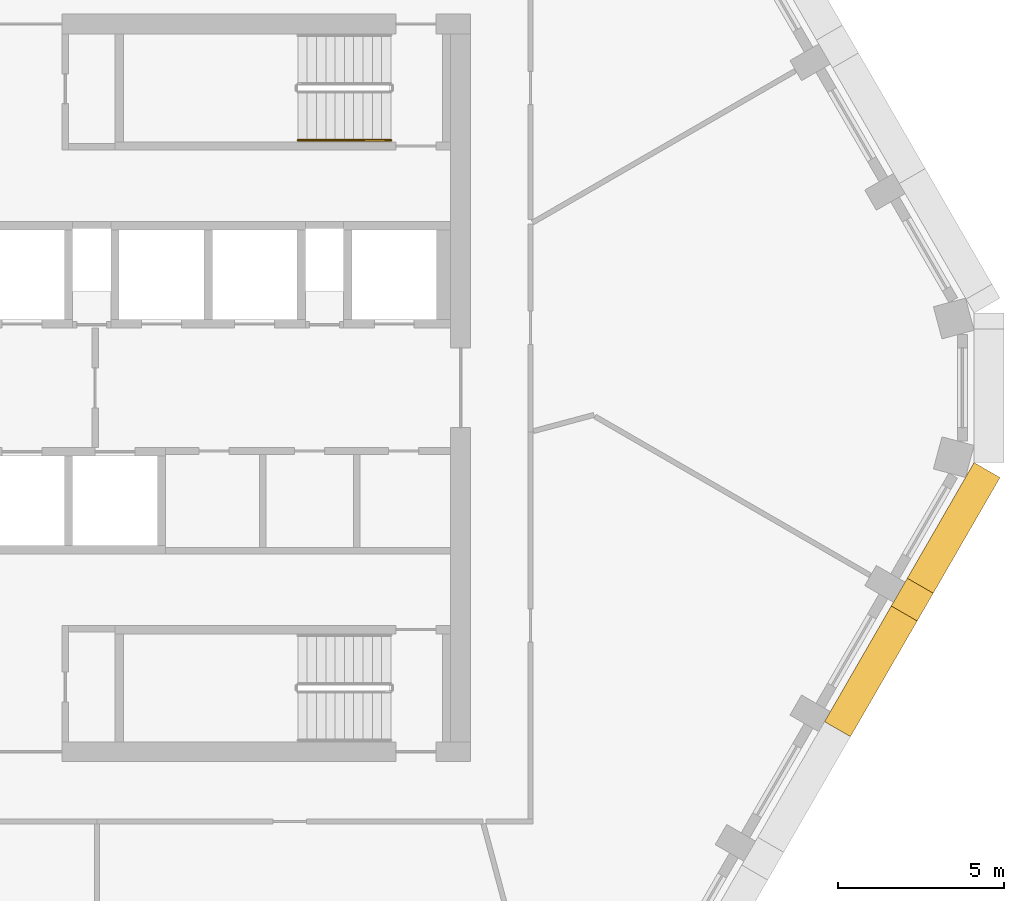
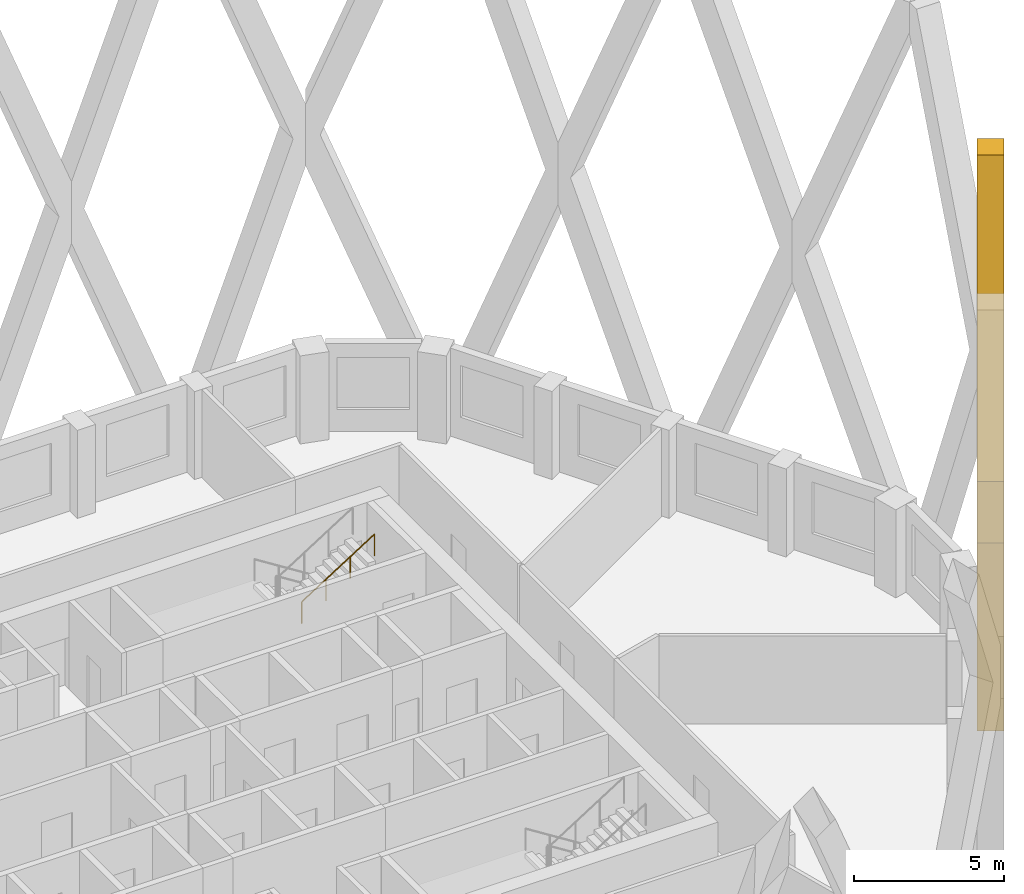
# One storey, part 11 of 13: 1 covering, 1 railing.
"""IFC4 building model written with IfcOpenShell, lengths in metres."""

from ifc_helpers import new_model, si_unit, direction, frame, origin, origin_2d, place, context, subcontext, project, spatial, polyline, circle, outline, extrude, material, type_object, element, save


model = new_model("IFC4")

# Units and contexts
model_context = context("Model", 3, precision=1e-05, world=origin(), true_north=direction((0.0, 1.0)))
body_context = subcontext(model_context, "Body", "Model", "MODEL_VIEW")
ifc_project = project(units=[si_unit("LENGTHUNIT", "METRE"), si_unit("AREAUNIT", "SQUARE_METRE"), si_unit("VOLUMEUNIT", "CUBIC_METRE"), si_unit("PLANEANGLEUNIT", "RADIAN"), si_unit("MASSUNIT", "GRAM", prefix="KILO")], contexts=[model_context])

# Site, building, storey
site_placement = place(None, origin())
site = spatial("IfcSite", under=ifc_project, at=site_placement, CompositionType="ELEMENT")
building_placement = place(site_placement, origin())
building = spatial("IfcBuilding", under=site, at=building_placement, Name="Dhurran Vertical Campus", CompositionType="ELEMENT")
storey_placement = place(building_placement, frame((0.0, 0.0, 258.60009765625)))
storey = spatial("IfcBuildingStorey", under=building, at=storey_placement, Name="L64", CompositionType="ELEMENT", Elevation=258.60009765625)

# Covering
ifc_material_1 = material(Name="Precast concrete C50/60", Category="concrete")
covering_type = type_object("IfcCoveringType", Name="Folded precast fin lattice diamond", PredefinedType="USERDEFINED", material=ifc_material_1)
covering_placement = place(storey_placement, frame((24.147216796875, -10.044189453125, 0.0), z_axis=(0.866013897511, -0.50001992892, 0.0), x_axis=(0.50001992892, 0.866013897511, 0.0)))
element("IfcCovering", 1, at=covering_placement, inside=storey, type_object=covering_type, Name="FN1 L64.007", ObjectType="FIN", PredefinedType="USERDEFINED", context=body_context, shape_type="SweptSolid", body=[
    extrude(outline(polyline([(9.0, 12.95361328125), (9.0, 10.4462890625), (4.982177734375, 0.0), (4.017822265625, 0.0), (0.0, 10.4462890625), (0.0, 12.95361328125), (4.017822265625, 23.39990234375), (4.982177734375, 23.39990234375), (9.0, 12.95361328125)]), holes=[polyline([(8.517822265625, 11.699951171875), (4.5, 22.146484375), (0.482177734375, 11.699951171875), (4.5, 1.253662109375), (8.517822265625, 11.699951171875)])]), origin(), (0.0, 0.0, 1.0), 0.89990234375),
])

# Railing
ifc_material_2 = material(Name="Stainless steel handrail", Category="steel")
railing_type = type_object("IfcRailingType", Name="co-RL-HANDRAIL-900", PredefinedType="HANDRAIL", material=ifc_material_2)
railing_placement = place(storey_placement, frame((8.300048828125, 7.449951171875, 2.127197265625)))
element("IfcRailing", 2, at=railing_placement, inside=storey, type_object=railing_type, Name="L64 ST2 stair handrail 2", PredefinedType="HANDRAIL", context=body_context, shape_type="SweptSolid", body=[
    extrude(circle(Radius=0.02392578125, at=origin_2d()), frame((0.0, 0.0, 0.8759765625), z_axis=(0.844908973607, 0.0, 0.534910110503), x_axis=(0.0, 1.0, 0.0)), (0.0, 0.0, 1.0), 3.31396484375),
    extrude(circle(Radius=0.02099609375, at=origin_2d()), origin(), (0.0, 0.0, 1.0), 0.851806640625),
    extrude(circle(Radius=0.02099609375, at=origin_2d()), frame((0.933349609375, 0.0, 0.5908203125)), (0.0, 0.0, 1.0), 0.851806640625),
    extrude(circle(Radius=0.02099609375, at=origin_2d()), frame((1.86669921875, 0.0, 1.181884765625)), (0.0, 0.0, 1.0), 0.851806640625),
    extrude(circle(Radius=0.02099609375, at=origin_2d()), frame((2.800048828125, 0.0, 1.772705078125)), (0.0, 0.0, 1.0), 0.851806640625),
])

save(model, "model.ifc")
